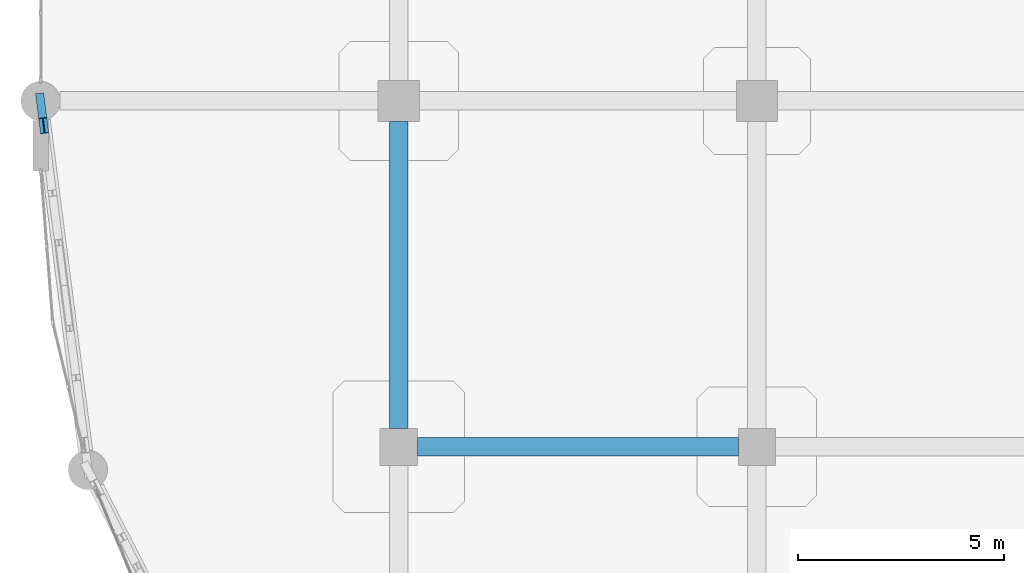
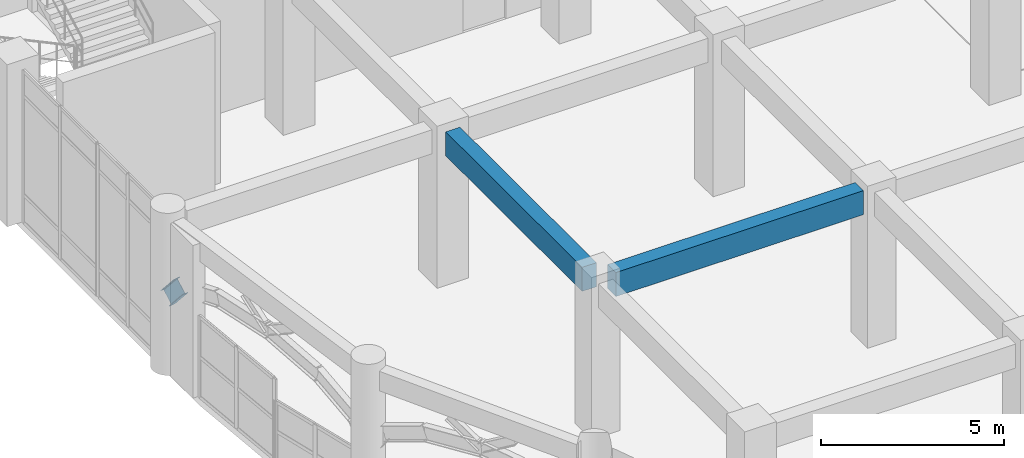
# One storey, part 9 of 114: 3 beams.
"""IFC4 building model written with IfcOpenShell, lengths in metres."""

from ifc_helpers import new_model, si_unit, derived_unit, direction, frame, origin, origin_2d, place, context, subcontext, project, spatial, rectangle, i_section, extrude, material, material_profile, profile_set, type_object, element, save


model = new_model("IFC4")

# Units and contexts
model_context = context("Model", 3, precision=1e-05, world=origin(), true_north=direction((0.0, 1.0)))
body_context = subcontext(model_context, "Body", "Model", "MODEL_VIEW")
ifc_project = project(units=[si_unit("LENGTHUNIT", "METRE"), si_unit("AREAUNIT", "SQUARE_METRE"), si_unit("VOLUMEUNIT", "CUBIC_METRE"), si_unit("PLANEANGLEUNIT", "RADIAN"), si_unit("MASSUNIT", "GRAM", prefix="KILO"), derived_unit("THERMALTRANSMITTANCEUNIT", [(si_unit("MASSUNIT", "GRAM", prefix="KILO"), 1), (si_unit("TIMEUNIT", "SECOND"), -3), (si_unit("THERMODYNAMICTEMPERATUREUNIT", "KELVIN"), -1)])], contexts=[model_context])

# Site, building, storey
site_placement = place(None, origin())
site = spatial("IfcSite", under=ifc_project, at=site_placement, CompositionType="ELEMENT")
building_placement = place(site_placement, origin())
building = spatial("IfcBuilding", under=site, at=building_placement, Name="Qinzheling Arcade Emporium", CompositionType="ELEMENT")
storey_placement = place(building_placement, frame((0.0, 0.0, 6.0)))
storey = spatial("IfcBuildingStorey", under=building, at=storey_placement, Name="L02", CompositionType="ELEMENT", Elevation=6.0)

# Beams
ifc_material_1 = material(Name="Weathering steel Q355NH", Category="steel")
ifc_material_profile_1 = material_profile(ifc_material_1, i_section(OverallWidth=0.199951171875, OverallDepth=0.5, WebThickness=0.010009765625, FlangeThickness=0.01611328125, FilletRadius=0.01806640625, at=origin_2d()), Name="HN 500x200x10x16", Category="steel")
ifc_profile_set_1 = profile_set([ifc_material_profile_1], Name="Weathering steel Q355NH")
beam_type_1 = type_object("IfcBeamType", Name="Arcade End Arch Rib HN500 Q355NH", PredefinedType="BEAM", material=ifc_profile_set_1)
beam_1_placement = place(storey_placement, frame((0.0, 25.199951171875, 2.27490234375), z_axis=(0.082247070844, -0.641527152586, 0.762678393448), x_axis=(0.991881664686, 0.127164315985, 0.0)))
element("IfcBeam", 1, at=beam_1_placement, inside=storey, type_object=beam_type_1, Name="Curved Arcade Entrance Arch ARC-L02-CV1-B01-C01", PredefinedType="BEAM", context=body_context, shape_type="SweptSolid", body=[
    extrude(i_section(OverallWidth=0.199951171875, OverallDepth=0.5, WebThickness=0.010009765625, FlangeThickness=0.01611328125, FilletRadius=0.01806640625, at=origin_2d()), origin(), (0.0, 0.0, 1.0), 0.93505859375),
])
ifc_material_2 = material(Name="Concrete C40", Category="concrete")
ifc_material_profile_2 = material_profile(ifc_material_2, rectangle(XDim=0.449951171875, YDim=0.800048828125, at=origin_2d()), Name="RC 450x800", Category="concrete")
ifc_profile_set_2 = profile_set([ifc_material_profile_2], Name="Concrete C40")
beam_type_2 = type_object("IfcBeamType", Name="RC Primary Frame Beam 450x800 C40", PredefinedType="BEAM", material=ifc_profile_set_2)
beam_2_placement = place(storey_placement, frame((9.14990234375, 16.800048828125, 4.719970703125), z_axis=(1.0, 0.0, 0.0), x_axis=(0.0, 1.0, 0.0)))
element("IfcBeam", 2, at=beam_2_placement, inside=storey, type_object=beam_type_2, Name="Beam BM-L02-X-C-2", PredefinedType="BEAM", context=body_context, shape_type="SweptSolid", body=[
    extrude(rectangle(XDim=0.449951171875, YDim=0.800048828125, at=origin_2d()), origin(), (0.0, 0.0, 1.0), 7.800048828125),
])
beam_3_placement = place(storey_placement, frame((8.699951171875, 17.25, 4.719970703125), z_axis=(0.0, 1.0, 0.0), x_axis=(-1.0, 0.0, 0.0)))
element("IfcBeam", 3, at=beam_3_placement, inside=storey, type_object=beam_type_2, Name="Beam BM-L02-Y-2-C", PredefinedType="BEAM", context=body_context, shape_type="SweptSolid", body=[
    extrude(rectangle(XDim=0.449951171875, YDim=0.800048828125, at=origin_2d()), origin(), (0.0, 0.0, 1.0), 7.449951171875),
])

save(model, "model.ifc")
